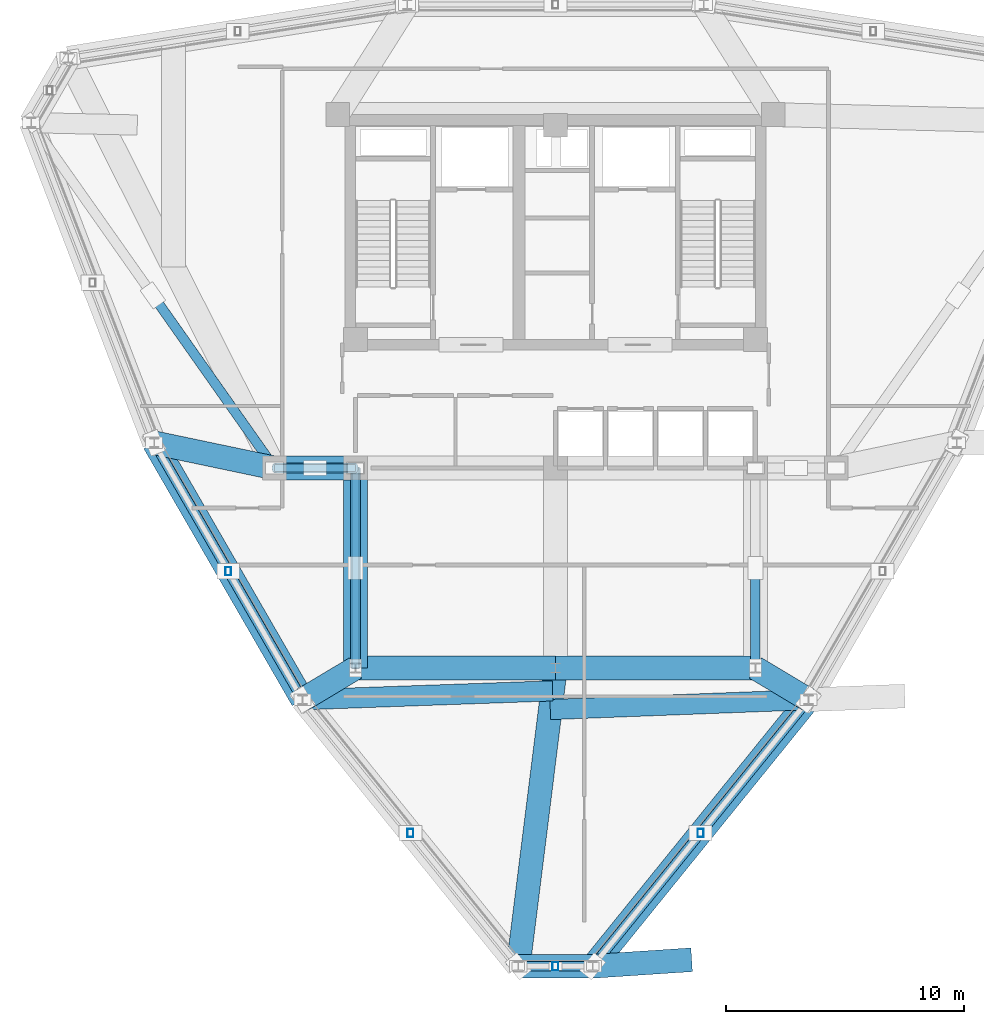
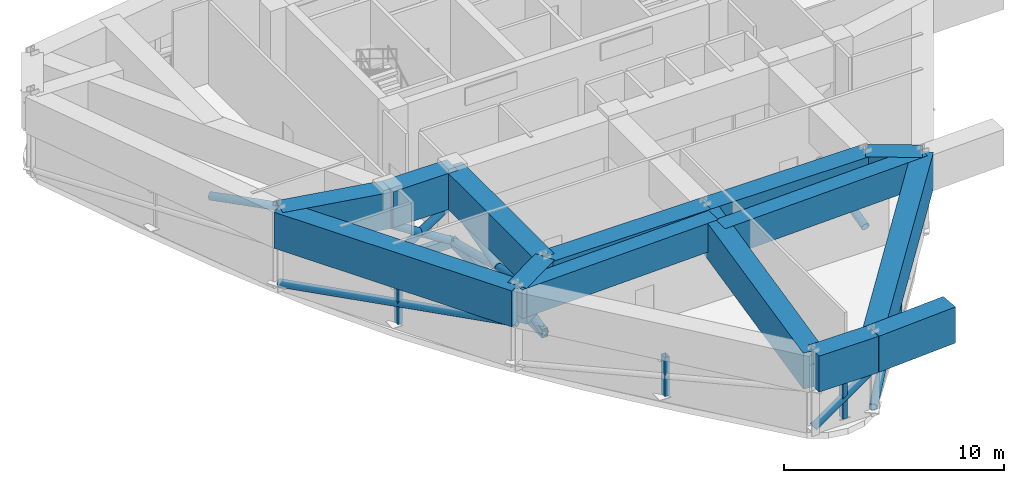
# One storey, part 2 of 12: 17 members, 14 beams.
"""IFC4 building model written with IfcOpenShell, lengths in metres."""

from ifc_helpers import new_model, si_unit, derived_unit, direction, frame, origin, origin_2d, place, context, subcontext, project, spatial, rectangle, hollow_rectangle, hollow_circle, extrude, source, transform, mapped, material, material_profile, profile_set, type_object, element, save


model = new_model("IFC4")

# Units and contexts
model_context = context("Model", 3, precision=1e-05, world=origin(), true_north=direction((0.0, 1.0)))
body_context = subcontext(model_context, "Body", "Model", "MODEL_VIEW")
ifc_project = project(units=[si_unit("LENGTHUNIT", "METRE"), si_unit("AREAUNIT", "SQUARE_METRE"), si_unit("VOLUMEUNIT", "CUBIC_METRE"), si_unit("PLANEANGLEUNIT", "RADIAN"), si_unit("MASSUNIT", "GRAM", prefix="KILO"), derived_unit("THERMALTRANSMITTANCEUNIT", [(si_unit("POWERUNIT", "WATT"), 1), (si_unit("LENGTHUNIT", "METRE"), -2), (si_unit("THERMODYNAMICTEMPERATUREUNIT", "KELVIN"), -1)])], contexts=[model_context])

# Site, building, storey
site_placement = place(None, origin())
site = spatial("IfcSite", under=ifc_project, at=site_placement, CompositionType="ELEMENT")
building_placement = place(site_placement, origin())
building = spatial("IfcBuilding", under=site, at=building_placement, Name="Korsvarv Bourse and Concert Hall", CompositionType="ELEMENT")
storey_placement = place(building_placement, frame((0.0, 0.0, 201.0)))
storey = spatial("IfcBuildingStorey", under=building, at=storey_placement, Name="L52", CompositionType="ELEMENT", Elevation=201.0)

# Beams
ifc_material_1 = material(Name="Concrete C60/75", Category="concrete")
ifc_material_profile_1 = material_profile(ifc_material_1, rectangle(XDim=1.0, YDim=2.0, at=origin_2d()), Name="RC-BM 1000x2000")
ifc_profile_set_1 = profile_set([ifc_material_profile_1], Name="Concrete C60/75")
beam_type_1 = type_object("IfcBeamType", Name="BM-TR1", PredefinedType="BEAM", material=ifc_profile_set_1)
shared_shape_1 = source(origin(), body_context, "Body", "SweptSolid", [
    extrude(rectangle(XDim=1.0, YDim=2.0, at=origin_2d()), origin(), (0.0, 0.0, 1.0), 8.39990234375),
])
for number, where, z_axis, x_axis, name in (
    (1, (27.60009765625, 24.0, 3.570068359375), (1.0, 0.0, 0.0), (0.0, 1.0, 0.0), "L52 beam B-TR1"),
    (2, (36.0, 24.0, 3.570068359375), (1.0, 0.0, 0.0), (0.0, 1.0, 0.0), "L52 beam B-TR1"),
    (3, (27.60009765625, 24.0, 3.570068359375), (0.0, 1.0, 0.0), (-1.0, 0.0, 0.0), "L52 beam B-TR1"),
):
    element("IfcBeam", number, at=place(storey_placement, frame(where, z_axis=z_axis, x_axis=x_axis)), inside=storey, type_object=beam_type_1, Name=name, PredefinedType="BEAM", context=body_context, shape_type="MappedRepresentation", body=[
        mapped(shared_shape_1, transform((0.0, 0.0, 0.0), scale=1.0)),
    ])
shared_shape_2 = source(origin(), body_context, "Body", "SweptSolid", [
    extrude(rectangle(XDim=1.0, YDim=2.0, at=origin_2d()), origin(), (0.0, 0.0, 1.0), 3.400146484375),
])
beam_1_placement = place(storey_placement, frame((24.199951171875, 32.39990234375, 3.570068359375), z_axis=(1.0, 0.0, 0.0), x_axis=(0.0, 1.0, 0.0)))
element("IfcBeam", 4, at=beam_1_placement, inside=storey, type_object=beam_type_1, Name="L52 beam B-TR1", PredefinedType="BEAM", context=body_context, shape_type="MappedRepresentation", body=[
    mapped(shared_shape_2, transform((0.0, 0.0, 0.0), scale=1.0)),
])

# Members
ifc_material_2 = material(Name="Steel S460", Category="steel")
ifc_material_profile_2 = material_profile(ifc_material_2, hollow_rectangle(XDim=0.300048828125, YDim=0.5, WallThickness=0.02001953125, at=origin_2d()), Name="RHS 500x300x20")
ifc_profile_set_2 = profile_set([ifc_material_profile_2], Name="Steel S460")
member_type_1 = type_object("IfcMemberType", Name="MEM-RHS500", PredefinedType="CHORD", material=ifc_profile_set_2)
shared_shape_3 = source(origin(), body_context, "Body", "SweptSolid", [
    extrude(hollow_rectangle(XDim=0.300048828125, YDim=0.5, WallThickness=0.02001953125, at=origin_2d()), origin(), (0.0, 0.0, 1.0), 3.400146484375),
])
member_1_placement = place(storey_placement, frame((27.60009765625, 32.39990234375, 0.35009765625), z_axis=(-1.0, 0.0, 0.0), x_axis=(0.0, -1.0, 0.0)))
element("IfcMember", 5, at=member_1_placement, inside=storey, type_object=member_type_1, Name="L52 Outrigger Truss W1 Bottom Chord", PredefinedType="CHORD", context=body_context, shape_type="MappedRepresentation", body=[
    mapped(shared_shape_3, transform((0.0, 0.0, 0.0), scale=1.0)),
])
shared_shape_4 = source(origin(), body_context, "Body", "SweptSolid", [
    extrude(hollow_rectangle(XDim=0.300048828125, YDim=0.5, WallThickness=0.02001953125, at=origin_2d()), origin(), (0.0, 0.0, 1.0), 8.39990234375),
])
member_2_placement = place(storey_placement, frame((27.60009765625, 32.39990234375, 0.35009765625), z_axis=(0.0, -1.0, 0.0), x_axis=(1.0, 0.0, 0.0)))
element("IfcMember", 6, at=member_2_placement, inside=storey, type_object=member_type_1, Name="L52 Outrigger Truss S1 Bottom Chord", PredefinedType="CHORD", context=body_context, shape_type="MappedRepresentation", body=[
    mapped(shared_shape_4, transform((0.0, 0.0, 0.0), scale=1.0)),
])
ifc_material_3 = material(Name="Steel S355", Category="steel")
ifc_material_profile_3 = material_profile(ifc_material_3, hollow_rectangle(XDim=0.25, YDim=0.35009765625, WallThickness=0.012451171875, at=origin_2d()), Name="RHS 350x250x12.5")
ifc_profile_set_3 = profile_set([ifc_material_profile_3], Name="Steel S355")
member_type_2 = type_object("IfcMemberType", Name="MEM-RHS350", PredefinedType="STRUT", material=ifc_profile_set_3)
shared_shape_5 = source(origin(), body_context, "Body", "SweptSolid", [
    extrude(hollow_rectangle(XDim=0.25, YDim=0.35009765625, WallThickness=0.012451171875, at=origin_2d()), origin(), (0.0, 0.0, 1.0), 2.169921875),
])
for number, where, z_axis, x_axis, name in (
    (7, (22.254638671875, 28.064208984375, 0.35009765625), (0.0, 0.0, 1.0), (1.0, 0.0, 0.0), "L52 Perimeter Belt Truss Strut 7"),
    (8, (29.9033203125, 17.065673828125, 0.35009765625), (0.0, 0.0, 1.0), (1.0, 0.0, 0.0), "L52 Perimeter Belt Truss Strut 8"),
    (9, (36.0, 11.465087890625, 0.35009765625), (0.0, 0.0, 1.0), (1.0, 0.0, 0.0), "L52 Perimeter Belt Truss Strut 9"),
    (10, (42.0966796875, 17.065673828125, 0.35009765625), (0.0, 0.0, 1.0), (1.0, 0.0, 0.0), "L52 Perimeter Belt Truss Strut 10"),
):
    element("IfcMember", number, at=place(storey_placement, frame(where, z_axis=z_axis, x_axis=x_axis)), inside=storey, type_object=member_type_2, Name=name, PredefinedType="STRUT", context=body_context, shape_type="MappedRepresentation", body=[
        mapped(shared_shape_5, transform((0.0, 0.0, 0.0), scale=1.0)),
    ])

# Beams
shared_shape_6 = source(origin(), body_context, "Body", "SweptSolid", [
    extrude(rectangle(XDim=1.0, YDim=2.0, at=origin_2d()), origin(), (0.0, 0.0, 1.0), 3.12939453125),
])
beam_2_placement = place(storey_placement, frame((34.435302734375, 11.465087890625, 3.570068359375), z_axis=(1.0, 0.0, 0.0), x_axis=(0.0, 1.0, 0.0)))
element("IfcBeam", 11, at=beam_2_placement, inside=storey, type_object=beam_type_1, Name="L52 beam B-TR1", PredefinedType="BEAM", context=body_context, shape_type="MappedRepresentation", body=[
    mapped(shared_shape_6, transform((0.0, 0.0, 0.0), scale=1.0)),
])
shared_shape_7 = source(origin(), body_context, "Body", "SweptSolid", [
    extrude(rectangle(XDim=1.0, YDim=2.0, at=origin_2d()), origin(), (0.0, 0.0, 1.0), 12.46630859375),
])
beam_3_placement = place(storey_placement, frame((19.13818359375, 33.462158203125, 3.570068359375), z_axis=(0.499985219902, -0.86603393691, 0.0), x_axis=(0.86603393691, 0.499985219902, 0.0)))
element("IfcBeam", 12, at=beam_3_placement, inside=storey, type_object=beam_type_1, Name="L52 beam B-TR1", PredefinedType="BEAM", context=body_context, shape_type="MappedRepresentation", body=[
    mapped(shared_shape_7, transform((0.0, 0.0, 0.0), scale=1.0)),
])
shared_shape_8 = source(origin(), body_context, "Body", "SweptSolid", [
    extrude(rectangle(XDim=1.0, YDim=2.0, at=origin_2d()), origin(), (0.0, 0.0, 1.0), 14.408935546875),
])
beam_4_placement = place(storey_placement, frame((37.564697265625, 11.465087890625, 3.570068359375), z_axis=(0.629063691989, 0.777353762081, 0.0), x_axis=(-0.777353762081, 0.629063691989, 0.0)))
element("IfcBeam", 13, at=beam_4_placement, inside=storey, type_object=beam_type_1, Name="L52 beam B-TR1", PredefinedType="BEAM", context=body_context, shape_type="MappedRepresentation", body=[
    mapped(shared_shape_8, transform((0.0, 0.0, 0.0), scale=1.0)),
])
shared_shape_9 = source(origin(), body_context, "Body", "SweptSolid", [
    extrude(rectangle(XDim=1.0, YDim=2.0, at=origin_2d()), origin(), (0.0, 0.0, 1.0), 5.172119140625),
])
beam_5_placement = place(storey_placement, frame((19.13818359375, 33.462158203125, 3.570068359375), z_axis=(0.978681305513, -0.205384766328, 0.0), x_axis=(0.205384766328, 0.978681305513, 0.0)))
element("IfcBeam", 14, at=beam_5_placement, inside=storey, type_object=beam_type_1, Name="L52 beam B-TR1", PredefinedType="BEAM", context=body_context, shape_type="MappedRepresentation", body=[
    mapped(shared_shape_9, transform((0.0, 0.0, 0.0), scale=1.0)),
])
shared_shape_10 = source(origin(), body_context, "Body", "SweptSolid", [
    extrude(rectangle(XDim=1.0, YDim=2.0, at=origin_2d()), origin(), (0.0, 0.0, 1.0), 2.59765625),
])
for number, where, z_axis, x_axis, name in (
    (15, (25.37109375, 22.666015625, 3.570068359375), (0.858072868624, 0.513527946787, 0.0), (-0.513527946787, 0.858072868624, 0.0), "L52 beam B-TR1"),
    (16, (46.62890625, 22.666015625, 3.570068359375), (-0.858072868624, 0.513527946787, 0.0), (-0.513527946787, -0.858072868624, 0.0), "L52 beam B-TR1"),
):
    element("IfcBeam", number, at=place(storey_placement, frame(where, z_axis=z_axis, x_axis=x_axis)), inside=storey, type_object=beam_type_1, Name=name, PredefinedType="BEAM", context=body_context, shape_type="MappedRepresentation", body=[
        mapped(shared_shape_10, transform((0.0, 0.0, 0.0), scale=1.0)),
    ])
shared_shape_11 = source(origin(), body_context, "Body", "SweptSolid", [
    extrude(rectangle(XDim=1.0, YDim=2.0, at=origin_2d()), origin(), (0.0, 0.0, 1.0), 12.632080078125),
])
beam_6_placement = place(storey_placement, frame((34.435302734375, 11.465087890625, 3.570068359375), z_axis=(0.12386584577, 0.992298973219, 0.0), x_axis=(-0.992298973219, 0.12386584577, 0.0)))
element("IfcBeam", 17, at=beam_6_placement, inside=storey, type_object=beam_type_1, Name="L52 beam B-TR1", PredefinedType="BEAM", context=body_context, shape_type="MappedRepresentation", body=[
    mapped(shared_shape_11, transform((0.0, 0.0, 0.0), scale=1.0)),
])
ifc_material_4 = material(Name="Concrete C55/67", Category="concrete")
ifc_material_profile_4 = material_profile(ifc_material_4, rectangle(XDim=0.85009765625, YDim=1.60009765625, at=origin_2d()), Name="RC-BM 850x1600")
ifc_profile_set_4 = profile_set([ifc_material_profile_4], Name="Concrete C55/67")
beam_type_2 = type_object("IfcBeamType", Name="BM-TR1B", PredefinedType="BEAM", material=ifc_profile_set_4)
shared_shape_12 = source(origin(), body_context, "Body", "SweptSolid", [
    extrude(rectangle(XDim=0.85009765625, YDim=1.60009765625, at=origin_2d()), origin(), (0.0, 0.0, 1.0), 10.515380859375),
])
beam_7_placement = place(storey_placement, frame((25.37109375, 22.666015625, 3.77001953125), z_axis=(0.999375450223, 0.035337083804, 0.0), x_axis=(-0.035337083804, 0.999375450223, 0.0)))
element("IfcBeam", 18, at=beam_7_placement, inside=storey, type_object=beam_type_2, Name="L52 beam B-TR2", PredefinedType="BEAM", context=body_context, shape_type="MappedRepresentation", body=[
    mapped(shared_shape_12, transform((0.0, 0.0, 0.0), scale=1.0)),
])
shared_shape_13 = source(origin(), body_context, "Body", "SweptSolid", [
    extrude(rectangle(XDim=1.0, YDim=2.0, at=origin_2d()), origin(), (0.0, 0.0, 1.0), 4.16650390625),
])
beam_8_placement = place(storey_placement, frame((37.564697265625, 11.465087890625, 3.570068359375), z_axis=(0.997809462143, 0.06615343724, 0.0), x_axis=(-0.06615343724, 0.997809462143, 0.0)))
element("IfcBeam", 19, at=beam_8_placement, inside=storey, type_object=beam_type_1, Name="L52 Block-Shift Transfer Girder 10", PredefinedType="BEAM", context=body_context, shape_type="MappedRepresentation", body=[
    mapped(shared_shape_13, transform((0.0, 0.0, 0.0), scale=1.0)),
])
shared_shape_14 = source(origin(), body_context, "Body", "SweptSolid", [
    extrude(rectangle(XDim=0.85009765625, YDim=1.60009765625, at=origin_2d()), origin(), (0.0, 0.0, 1.0), 10.854736328125),
])
beam_9_placement = place(storey_placement, frame((35.781982421875, 22.25341796875, 3.77001953125), z_axis=(0.999277331106, 0.038010729244, 0.0), x_axis=(-0.038010729244, 0.999277331106, 0.0)))
element("IfcBeam", 20, at=beam_9_placement, inside=storey, type_object=beam_type_2, Name="L52 beam B-TR2", PredefinedType="BEAM", context=body_context, shape_type="MappedRepresentation", body=[
    mapped(shared_shape_14, transform((0.0, 0.0, 0.0), scale=1.0)),
])

# Members
ifc_material_profile_5 = material_profile(ifc_material_3, hollow_circle(Radius=0.203125, WallThickness=0.01611328125, at=origin_2d()), Name="CHS 406.4x16")
ifc_profile_set_5 = profile_set([ifc_material_profile_5], Name="Steel S355")
member_type_3 = type_object("IfcMemberType", Name="MEM-CHS406", PredefinedType="BRACE", material=ifc_profile_set_5)
shared_shape_15 = source(origin(), body_context, "Body", "SweptSolid", [
    extrude(hollow_circle(Radius=0.203125, WallThickness=0.01611328125, at=origin_2d()), origin(), (0.0, 0.0, 1.0), 4.033447265625),
])
member_3_placement = place(storey_placement, frame((27.60009765625, 32.39990234375, 0.35009765625), z_axis=(-0.842965426826, 0.0, 0.537967739903), x_axis=(0.0, -1.0, 0.0)))
element("IfcMember", 21, at=member_3_placement, inside=storey, type_object=member_type_3, Name="L52 Outrigger Truss W1 Diagonal 1", PredefinedType="BRACE", context=body_context, shape_type="MappedRepresentation", body=[
    mapped(shared_shape_15, transform((0.0, 0.0, 0.0), scale=1.0)),
])
shared_shape_16 = source(origin(), body_context, "Body", "SweptSolid", [
    extrude(hollow_circle(Radius=0.203125, WallThickness=0.01611328125, at=origin_2d()), origin(), (0.0, 0.0, 1.0), 2.0166015625),
])
member_4_placement = place(storey_placement, frame((24.199951171875, 32.39990234375, 0.35009765625), z_axis=(0.842947908287, 0.0, 0.537995189491), x_axis=(0.0, 1.0, 0.0)))
element("IfcMember", 22, at=member_4_placement, inside=storey, type_object=member_type_3, Name="L52 Outrigger Truss W1 Split Diagonal 2A", PredefinedType="BRACE", context=body_context, shape_type="MappedRepresentation", body=[
    mapped(shared_shape_16, transform((0.0, 0.0, 0.0), scale=1.0)),
])
shared_shape_17 = source(origin(), body_context, "Body", "SweptSolid", [
    extrude(hollow_circle(Radius=0.203125, WallThickness=0.01611328125, at=origin_2d()), origin(), (0.0, 0.0, 1.0), 2.016845703125),
])
member_5_placement = place(storey_placement, frame((25.89990234375, 32.39990234375, 1.43505859375), z_axis=(0.842982942684, 0.0, 0.537940292546), x_axis=(0.0, 1.0, 0.0)))
element("IfcMember", 23, at=member_5_placement, inside=storey, type_object=member_type_3, Name="L52 Outrigger Truss W1 Split Diagonal 2B", PredefinedType="BRACE", context=body_context, shape_type="MappedRepresentation", body=[
    mapped(shared_shape_17, transform((0.0, 0.0, 0.0), scale=1.0)),
])
shared_shape_18 = source(origin(), body_context, "Body", "SweptSolid", [
    extrude(hollow_circle(Radius=0.203125, WallThickness=0.01611328125, at=origin_2d()), origin(), (0.0, 0.0, 1.0), 8.944091796875),
])
member_6_placement = place(storey_placement, frame((19.0849609375, 39.65625, 1.43505859375), z_axis=(0.571891713479, -0.811310462891, 0.121306227612), x_axis=(0.817346459068, 0.576146479508, 0.0)))
element("IfcMember", 24, at=member_6_placement, inside=storey, type_object=member_type_3, Name="L52 Outrigger Truss W2 Split Diagonal 2B", PredefinedType="BRACE", context=body_context, shape_type="MappedRepresentation", body=[
    mapped(shared_shape_18, transform((0.0, 0.0, 0.0), scale=1.0)),
])
shared_shape_19 = source(origin(), body_context, "Body", "SweptSolid", [
    extrude(hollow_circle(Radius=0.203125, WallThickness=0.01611328125, at=origin_2d()), origin(), (0.0, 0.0, 1.0), 8.675537109375),
])
member_7_placement = place(storey_placement, frame((27.60009765625, 32.39990234375, 0.35009765625), z_axis=(0.0, -0.968215796223, 0.250116316829), x_axis=(1.0, 0.0, 0.0)))
element("IfcMember", 25, at=member_7_placement, inside=storey, type_object=member_type_3, Name="L52 Outrigger Truss S1 Diagonal 1", PredefinedType="BRACE", context=body_context, shape_type="MappedRepresentation", body=[
    mapped(shared_shape_19, transform((0.0, 0.0, 0.0), scale=1.0)),
])
shared_shape_20 = source(origin(), body_context, "Body", "SweptSolid", [
    extrude(hollow_circle(Radius=0.203125, WallThickness=0.01611328125, at=origin_2d()), origin(), (0.0, 0.0, 1.0), 4.337890625),
])
for number, where, z_axis, x_axis, name in (
    (26, (27.60009765625, 24.0, 0.35009765625), (0.0, 0.968215796223, 0.250116316829), (-1.0, 0.0, 0.0), "L52 Outrigger Truss S1 Split Diagonal 2A"),
    (27, (27.60009765625, 28.199951171875, 1.43505859375), (0.0, 0.968215796223, 0.250116316829), (-1.0, 0.0, 0.0), "L52 Outrigger Truss S1 Split Diagonal 2B"),
    (28, (44.39990234375, 24.0, 0.35009765625), (0.0, 0.968215796223, 0.250116316829), (-1.0, 0.0, 0.0), "L52 Outrigger Truss S2 Split Diagonal 2A"),
):
    element("IfcMember", number, at=place(storey_placement, frame(where, z_axis=z_axis, x_axis=x_axis)), inside=storey, type_object=member_type_3, Name=name, PredefinedType="BRACE", context=body_context, shape_type="MappedRepresentation", body=[
        mapped(shared_shape_20, transform((0.0, 0.0, 0.0), scale=1.0)),
    ])
shared_shape_21 = source(origin(), body_context, "Body", "SweptSolid", [
    extrude(hollow_circle(Radius=0.203125, WallThickness=0.01611328125, at=origin_2d()), origin(), (0.0, 0.0, 1.0), 3.80810546875),
])
member_8_placement = place(storey_placement, frame((34.435302734375, 11.465087890625, 0.35009765625), z_axis=(0.82177191397, 0.0, 0.569816568214), x_axis=(0.0, 1.0, 0.0)))
element("IfcMember", 29, at=member_8_placement, inside=storey, type_object=member_type_3, Name="L52 Perimeter Belt Truss Diagonal 9", PredefinedType="BRACE", context=body_context, shape_type="MappedRepresentation", body=[
    mapped(shared_shape_21, transform((0.0, 0.0, 0.0), scale=1.0)),
])
shared_shape_22 = source(origin(), body_context, "Body", "SweptSolid", [
    extrude(hollow_circle(Radius=0.203125, WallThickness=0.01611328125, at=origin_2d()), origin(), (0.0, 0.0, 1.0), 14.571533203125),
])
member_9_placement = place(storey_placement, frame((37.564697265625, 11.465087890625, 0.35009765625), z_axis=(0.622049607152, 0.768686237146, 0.148915261356), x_axis=(-0.777353762081, 0.629063691989, 0.0)))
element("IfcMember", 30, at=member_9_placement, inside=storey, type_object=member_type_3, Name="L52 Perimeter Belt Truss Diagonal 10", PredefinedType="BRACE", context=body_context, shape_type="MappedRepresentation", body=[
    mapped(shared_shape_22, transform((0.0, 0.0, 0.0), scale=1.0)),
])
shared_shape_23 = source(origin(), body_context, "Body", "SweptSolid", [
    extrude(hollow_circle(Radius=0.203125, WallThickness=0.01611328125, at=origin_2d()), origin(), (0.0, 0.0, 1.0), 12.653564453125),
])
member_10_placement = place(storey_placement, frame((19.13818359375, 33.462158203125, 0.35009765625), z_axis=(0.49257871046, -0.853204980621, 0.171486078283), x_axis=(0.86603393691, 0.499985219902, 0.0)))
element("IfcMember", 31, at=member_10_placement, inside=storey, type_object=member_type_3, Name="L52 Perimeter Belt Truss Diagonal 7", PredefinedType="BRACE", context=body_context, shape_type="MappedRepresentation", body=[
    mapped(shared_shape_23, transform((0.0, 0.0, 0.0), scale=1.0)),
])

save(model, "model.ifc")
